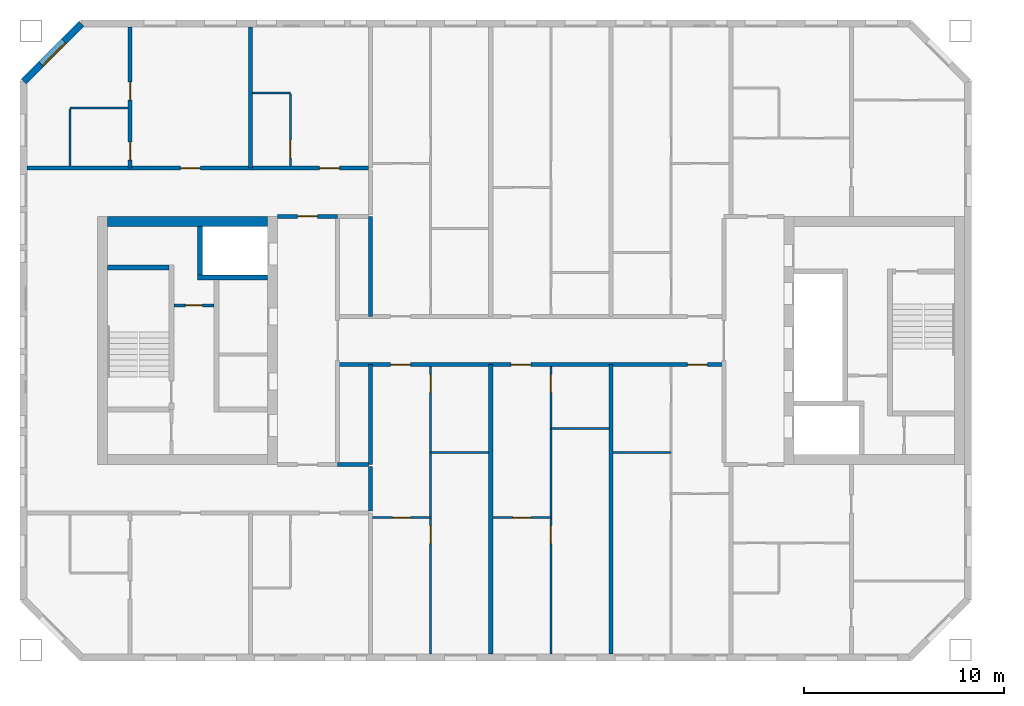
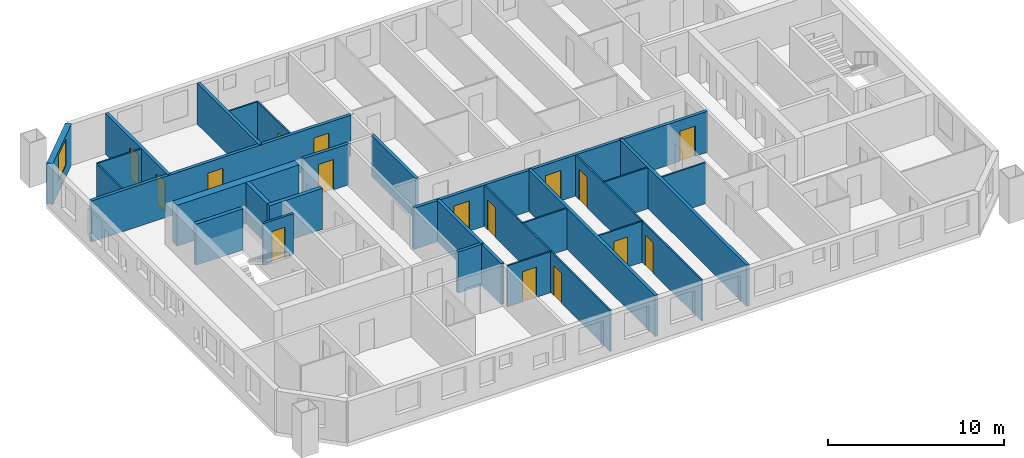
# One storey, part 4 of 16: 28 walls, 16 doors, 1 window, 17 openings.
"""IFC4 building model written with IfcOpenShell, lengths in metres."""

from ifc_helpers import new_model, si_unit, direction, frame, frame_2d, origin, place, context, subcontext, project, spatial, rectangle, extrude, material, layer, layer_set, type_object, element, fill, save


model = new_model("IFC4")

# Units and contexts
model_context = context("Model", 3, precision=1e-05, world=origin(), true_north=direction((0.0, 1.0)))
body_context = subcontext(model_context, "Body", "Model", "MODEL_VIEW")
ifc_project = project(units=[si_unit("LENGTHUNIT", "METRE"), si_unit("AREAUNIT", "SQUARE_METRE"), si_unit("VOLUMEUNIT", "CUBIC_METRE"), si_unit("PLANEANGLEUNIT", "RADIAN"), si_unit("MASSUNIT", "GRAM", prefix="KILO")], contexts=[model_context])

# Site, building, storey
site_placement = place(None, origin())
site = spatial("IfcSite", under=ifc_project, at=site_placement, CompositionType="ELEMENT")
building_placement = place(site_placement, origin())
building = spatial("IfcBuilding", under=site, at=building_placement, Name="Tuart Gate Housing", CompositionType="ELEMENT")
storey_placement = place(building_placement, frame((0.0, 0.0, 157.800048828125)))
storey = spatial("IfcBuildingStorey", under=building, at=storey_placement, Name="L44", CompositionType="ELEMENT", Elevation=157.800048828125)

# Wall, opening, window
ifc_material_1 = material(Name="Brick", Category="masonry")
ifc_layer_1 = layer(ifc_material_1, 0.360107421875)
ifc_layer_set_1 = layer_set([ifc_layer_1], Name="Brick pier and spandrel wall 360")
wall_type_1 = type_object("IfcWallType", Name="Brick pier and spandrel wall 360", PredefinedType="STANDARD", material=ifc_layer_set_1)
wall_1_placement = place(storey_placement, frame((31.57470703125, 85.820068359375, 0.0), z_axis=(0.0, 0.0, 1.0), x_axis=(-0.707106781187, -0.707106781187, 0.0)))
wall_1 = element("IfcWall", 1, at=wall_1_placement, inside=storey, type_object=wall_type_1, Name="External wall A-NW L44", PredefinedType="STANDARD", context=body_context, shape_type="SweptSolid", body=[
    extrude(rectangle(XDim=4.09375, YDim=0.360107421875, at=frame_2d((2.046875, 0.0))), origin(), (0.0, 0.0, 1.0), 2.849853515625),
])
opening_1_placement = place(wall_1_placement, frame((1.2470703125, 0.0, 0.800048828125)))
opening_1 = element("IfcOpeningElement", 2, at=opening_1_placement, cuts=wall_1, Name="Opening W1", PredefinedType="OPENING", context=body_context, shape_type="SweptSolid", body=[
    extrude(rectangle(XDim=1.60009765625, YDim=1.800048828125, at=frame_2d((0.800048828125, 0.89990234375))), frame((0.0, 0.18994140625, 0.0), z_axis=(0.0, -1.0, 0.0), x_axis=(1.0, 0.0, 0.0)), (0.0, 0.0, 1.0), 0.380126953125),
])
ifc_material_2 = material(Name="Aluminium frame with clear glass", Category="aluminium")
window_type = type_object("IfcWindowType", Name="Punched window 1600 x 1800", PartitioningType="SINGLE_PANEL", PredefinedType="WINDOW", material=ifc_material_2)
window_placement = place(opening_1_placement, origin())
window = element("IfcWindow", 3, at=window_placement, inside=storey, type_object=window_type, Name="Window W1", OverallHeight=1.800048828125, OverallWidth=1.60009765625, PartitioningType="SINGLE_PANEL", PredefinedType="WINDOW", context=body_context, shape_type="SweptSolid", body=[
    extrude(rectangle(XDim=1.60009765625, YDim=1.800048828125, at=frame_2d((0.800048828125, 0.89990234375))), frame((0.0, 0.150146484375, 0.0), z_axis=(0.0, -1.0, 0.0), x_axis=(1.0, 0.0, 0.0)), (0.0, 0.0, 1.0), 0.06005859375),
])
fill(opening_1, window)

# Wall, opening, door
ifc_material_3 = material(Name="Plasterboard partition")
ifc_layer_2 = layer(ifc_material_3, 0.14990234375)
ifc_layer_set_2 = layer_set([ifc_layer_2], Name="Core partition 150")
wall_type_2 = type_object("IfcWallType", Name="Core partition 150", PredefinedType="PARTITIONING", material=ifc_layer_set_2)
wall_2_placement = place(storey_placement, frame((38.18505859375, 71.75, 0.0), z_axis=(0.0, 0.0, 1.0), x_axis=(-1.0, 0.0, 0.0)))
wall_2 = element("IfcWall", 4, at=wall_2_placement, inside=storey, type_object=wall_type_2, Name="Core partition AK.3", PredefinedType="PARTITIONING", context=body_context, shape_type="SweptSolid", body=[
    extrude(rectangle(XDim=2.0, YDim=0.14990234375, at=frame_2d((1.0, 0.0))), origin(), (0.0, 0.0, 1.0), 2.849853515625),
])
opening_2_placement = place(wall_2_placement, frame((0.574951171875, 0.0, 0.0)))
opening_2 = element("IfcOpeningElement", 5, at=opening_2_placement, cuts=wall_2, Name="Opening D1644", PredefinedType="OPENING", context=body_context, shape_type="SweptSolid", body=[
    extrude(rectangle(XDim=0.85009765625, YDim=2.10009765625, at=frame_2d((0.425048828125, 1.050048828125))), frame((0.0, 0.0849609375, 0.0), z_axis=(0.0, -1.0, 0.0), x_axis=(1.0, 0.0, 0.0)), (0.0, 0.0, 1.0), 0.169921875),
])
ifc_material_4 = material(Name="Steel fire door", Category="steel")
door_type_1 = type_object("IfcDoorType", Name="Riser door 850 x 2100 RH", OperationType="SINGLE_SWING_RIGHT", PredefinedType="DOOR", material=ifc_material_4)
door_1_placement = place(opening_2_placement, frame((0.85009765625, 0.0, 0.0), z_axis=(0.0, 0.0, 1.0), x_axis=(-1.0, 0.0, 0.0)))
door_1 = element("IfcDoor", 6, at=door_1_placement, inside=storey, type_object=door_type_1, Name="Service room door AK.E1", OperationType="SINGLE_SWING_RIGHT", OverallHeight=2.10009765625, OverallWidth=0.85009765625, PredefinedType="DOOR", context=body_context, shape_type="SweptSolid", body=[
    extrude(rectangle(XDim=0.85009765625, YDim=2.10009765625, at=frame_2d((0.425048828125, 1.050048828125))), frame((0.0, 0.025146484375, 0.0), z_axis=(0.0, -1.0, 0.0), x_axis=(1.0, 0.0, 0.0)), (0.0, 0.0, 1.0), 0.050048828125),
])
fill(opening_2, door_1)

# Walls
ifc_material_5 = material(Name="Concrete C40", Category="concrete")
ifc_layer_3 = layer(ifc_material_5, 0.25)
ifc_layer_set_3 = layer_set([ifc_layer_3], Name="Core wall 250 C40")
wall_type_3 = type_object("IfcWallType", Name="Core wall 250 C40", PredefinedType="SHEAR", material=ifc_layer_set_3)
wall_3_placement = place(storey_placement, frame((35.93505859375, 73.64990234375, 0.0), z_axis=(0.0, 0.0, 1.0), x_axis=(-1.0, 0.0, 0.0)))
element("IfcWall", 7, at=wall_3_placement, inside=storey, type_object=wall_type_3, Name="Core wall AK.1", PredefinedType="SHEAR", context=body_context, shape_type="SweptSolid", body=[
    extrude(rectangle(XDim=3.074951171875, YDim=0.25, at=frame_2d((1.53759765625, 0.0))), origin(), (0.0, 0.0, 1.0), 2.849853515625),
])
wall_4_placement = place(storey_placement, frame((40.860107421875, 73.14990234375, 0.0), z_axis=(0.0, 0.0, 1.0), x_axis=(-1.0, 0.0, 0.0)))
element("IfcWall", 8, at=wall_4_placement, inside=storey, type_object=wall_type_3, Name="Core wall AK.2", PredefinedType="SHEAR", context=body_context, shape_type="SweptSolid", body=[
    extrude(rectangle(XDim=3.4951171875, YDim=0.25, at=frame_2d((1.74755859375, 0.0))), origin(), (0.0, 0.0, 1.0), 2.849853515625),
])
wall_5_placement = place(storey_placement, frame((37.489990234375, 75.699951171875, 0.0), z_axis=(0.0, 0.0, 1.0), x_axis=(0.0, -1.0, 0.0)))
element("IfcWall", 9, at=wall_5_placement, inside=storey, type_object=wall_type_3, Name="Core wall AK.8", PredefinedType="SHEAR", context=body_context, shape_type="SweptSolid", body=[
    extrude(rectangle(XDim=2.425048828125, YDim=0.25, at=frame_2d((1.21240234375, 0.0))), origin(), (0.0, 0.0, 1.0), 2.849853515625),
])
ifc_material_6 = material(Name="Concrete C40", Category="concrete")
ifc_layer_4 = layer(ifc_material_6, 0.5)
ifc_layer_set_4 = layer_set([ifc_layer_4], Name="Core wall 500 C40")
wall_type_4 = type_object("IfcWallType", Name="Core wall 500 C40", PredefinedType="SHEAR", material=ifc_layer_set_4)
wall_6_placement = place(storey_placement, frame((40.860107421875, 75.949951171875, 0.0), z_axis=(0.0, 0.0, 1.0), x_axis=(-1.0, 0.0, 0.0)))
element("IfcWall", 10, at=wall_6_placement, inside=storey, type_object=wall_type_4, Name="Core wall AK south", PredefinedType="SHEAR", context=body_context, shape_type="SweptSolid", body=[
    extrude(rectangle(XDim=8.0, YDim=0.5, at=frame_2d((4.0, 0.0))), origin(), (0.0, 0.0, 1.0), 2.849853515625),
])
ifc_material_7 = material(Name="Concrete masonry 15 MPa", Category="masonry")
ifc_layer_5 = layer(ifc_material_7, 0.199951171875)
ifc_layer_set_5 = layer_set([ifc_layer_5], Name="Corridor wall masonry 200")
wall_type_5 = type_object("IfcWallType", Name="Corridor wall masonry 200", PredefinedType="PARTITIONING", material=ifc_layer_set_5)
wall_7_placement = place(storey_placement, frame((44.360107421875, 63.800048828125, 0.0), z_axis=(0.0, 0.0, 1.0), x_axis=(1.0, 0.0, 0.0)))
element("IfcWall", 11, at=wall_7_placement, inside=storey, type_object=wall_type_5, Name="Corridor wall masonry 200", PredefinedType="PARTITIONING", context=body_context, shape_type="SweptSolid", body=[
    extrude(rectangle(XDim=1.539794921875, YDim=0.199951171875, at=frame_2d((0.77001953125, 0.0))), origin(), (0.0, 0.0, 1.0), 2.849853515625),
])

# Wall, openings, doors
wall_8_placement = place(storey_placement, frame((44.360107421875, 68.800048828125, 0.0), z_axis=(0.0, 0.0, 1.0), x_axis=(1.0, 0.0, 0.0)))
wall_8 = element("IfcWall", 12, at=wall_8_placement, inside=storey, type_object=wall_type_5, Name="Corridor wall masonry 200", PredefinedType="PARTITIONING", context=body_context, shape_type="SweptSolid", body=[
    extrude(rectangle(XDim=19.27978515625, YDim=0.199951171875, at=frame_2d((9.639892578125, 0.0))), origin(), (0.0, 0.0, 1.0), 2.849853515625),
])
opening_3_placement = place(wall_8_placement, frame((17.4599609375, 0.0, 0.0)))
opening_3 = element("IfcOpeningElement", 13, at=opening_3_placement, cuts=wall_8, Name="Opening D1655", PredefinedType="OPENING", context=body_context, shape_type="SweptSolid", body=[
    extrude(rectangle(XDim=1.0, YDim=2.10009765625, at=frame_2d((0.5, 1.050048828125))), frame((0.0, 0.10986328125, 0.0), z_axis=(0.0, -1.0, 0.0), x_axis=(1.0, 0.0, 0.0)), (0.0, 0.0, 1.0), 0.219970703125),
])
opening_4_placement = place(wall_8_placement, frame((8.639892578125, 0.0, 0.0)))
opening_4 = element("IfcOpeningElement", 14, at=opening_4_placement, cuts=wall_8, Name="Opening D1656", PredefinedType="OPENING", context=body_context, shape_type="SweptSolid", body=[
    extrude(rectangle(XDim=1.0, YDim=2.10009765625, at=frame_2d((0.5, 1.050048828125))), frame((0.0, 0.10986328125, 0.0), z_axis=(0.0, -1.0, 0.0), x_axis=(1.0, 0.0, 0.0)), (0.0, 0.0, 1.0), 0.219970703125),
])
opening_5_placement = place(wall_8_placement, frame((2.639892578125, 0.0, 0.0)))
opening_5 = element("IfcOpeningElement", 15, at=opening_5_placement, cuts=wall_8, Name="Opening D1657", PredefinedType="OPENING", context=body_context, shape_type="SweptSolid", body=[
    extrude(rectangle(XDim=1.0, YDim=2.10009765625, at=frame_2d((0.5, 1.050048828125))), frame((0.0, 0.10986328125, 0.0), z_axis=(0.0, -1.0, 0.0), x_axis=(1.0, 0.0, 0.0)), (0.0, 0.0, 1.0), 0.219970703125),
])
ifc_material_8 = material(Name="Timber door leaf in steel frame", Category="steel")
door_type_2 = type_object("IfcDoorType", Name="Flat entrance door 1000 RH", OperationType="SINGLE_SWING_RIGHT", PredefinedType="DOOR", material=ifc_material_8)
door_2_placement = place(opening_3_placement, frame((1.0, 0.0, 0.0), z_axis=(0.0, 0.0, 1.0), x_axis=(-1.0, 0.0, 0.0)))
door_2 = element("IfcDoor", 16, at=door_2_placement, inside=storey, type_object=door_type_2, Name="Flat entrance door", OperationType="SINGLE_SWING_RIGHT", OverallHeight=2.10009765625, OverallWidth=1.0, PredefinedType="DOOR", context=body_context, shape_type="SweptSolid", body=[
    extrude(rectangle(XDim=1.0, YDim=2.10009765625, at=frame_2d((0.5, 1.050048828125))), frame((0.0, 0.025146484375, 0.0), z_axis=(0.0, -1.0, 0.0), x_axis=(1.0, 0.0, 0.0)), (0.0, 0.0, 1.0), 0.050048828125),
])
fill(opening_3, door_2)
door_3_placement = place(opening_4_placement, frame((1.0, 0.0, 0.0), z_axis=(0.0, 0.0, 1.0), x_axis=(-1.0, 0.0, 0.0)))
door_3 = element("IfcDoor", 17, at=door_3_placement, inside=storey, type_object=door_type_2, Name="Flat entrance door", OperationType="SINGLE_SWING_RIGHT", OverallHeight=2.10009765625, OverallWidth=1.0, PredefinedType="DOOR", context=body_context, shape_type="SweptSolid", body=[
    extrude(rectangle(XDim=1.0, YDim=2.10009765625, at=frame_2d((0.5, 1.050048828125))), frame((0.0, 0.025146484375, 0.0), z_axis=(0.0, -1.0, 0.0), x_axis=(1.0, 0.0, 0.0)), (0.0, 0.0, 1.0), 0.050048828125),
])
fill(opening_4, door_3)
door_4_placement = place(opening_5_placement, frame((1.0, 0.0, 0.0), z_axis=(0.0, 0.0, 1.0), x_axis=(-1.0, 0.0, 0.0)))
door_4 = element("IfcDoor", 18, at=door_4_placement, inside=storey, type_object=door_type_2, Name="Flat entrance door", OperationType="SINGLE_SWING_RIGHT", OverallHeight=2.10009765625, OverallWidth=1.0, PredefinedType="DOOR", context=body_context, shape_type="SweptSolid", body=[
    extrude(rectangle(XDim=1.0, YDim=2.10009765625, at=frame_2d((0.5, 1.050048828125))), frame((0.0, 0.025146484375, 0.0), z_axis=(0.0, -1.0, 0.0), x_axis=(1.0, 0.0, 0.0)), (0.0, 0.0, 1.0), 0.050048828125),
])
fill(opening_5, door_4)

wall_9_placement = place(storey_placement, frame((28.860107421875, 78.60009765625, 0.0), z_axis=(0.0, 0.0, 1.0), x_axis=(1.0, 0.0, 0.0)))
wall_9 = element("IfcWall", 19, at=wall_9_placement, inside=storey, type_object=wall_type_5, Name="Corridor wall masonry 200", PredefinedType="PARTITIONING", context=body_context, shape_type="SweptSolid", body=[
    extrude(rectangle(XDim=17.039794921875, YDim=0.199951171875, at=frame_2d((8.52001953125, 0.0))), origin(), (0.0, 0.0, 1.0), 2.849853515625),
])
opening_6_placement = place(wall_9_placement, frame((14.590087890625, 0.0, 0.0)))
opening_6 = element("IfcOpeningElement", 20, at=opening_6_placement, cuts=wall_9, Name="Opening D1632", PredefinedType="OPENING", context=body_context, shape_type="SweptSolid", body=[
    extrude(rectangle(XDim=1.0, YDim=2.10009765625, at=frame_2d((0.5, 1.050048828125))), frame((0.0, 0.10986328125, 0.0), z_axis=(0.0, -1.0, 0.0), x_axis=(1.0, 0.0, 0.0)), (0.0, 0.0, 1.0), 0.219970703125),
])
opening_7_placement = place(wall_9_placement, frame((7.639892578125, 0.0, 0.0)))
opening_7 = element("IfcOpeningElement", 21, at=opening_7_placement, cuts=wall_9, Name="Opening D1633", PredefinedType="OPENING", context=body_context, shape_type="SweptSolid", body=[
    extrude(rectangle(XDim=1.0, YDim=2.10009765625, at=frame_2d((0.5, 1.050048828125))), frame((0.0, 0.10986328125, 0.0), z_axis=(0.0, -1.0, 0.0), x_axis=(1.0, 0.0, 0.0)), (0.0, 0.0, 1.0), 0.219970703125),
])
ifc_material_9 = material(Name="Timber door leaf in steel frame", Category="steel")
door_type_3 = type_object("IfcDoorType", Name="Flat entrance door 1000", OperationType="SINGLE_SWING_LEFT", PredefinedType="DOOR", material=ifc_material_9)
door_5_placement = place(opening_6_placement, origin())
door_5 = element("IfcDoor", 22, at=door_5_placement, inside=storey, type_object=door_type_3, Name="Flat entrance door", OperationType="SINGLE_SWING_LEFT", OverallHeight=2.10009765625, OverallWidth=1.0, PredefinedType="DOOR", context=body_context, shape_type="SweptSolid", body=[
    extrude(rectangle(XDim=1.0, YDim=2.10009765625, at=frame_2d((0.5, 1.050048828125))), frame((0.0, 0.02490234375, 0.0), z_axis=(0.0, -1.0, 0.0), x_axis=(1.0, 0.0, 0.0)), (0.0, 0.0, 1.0), 0.050048828125),
])
fill(opening_6, door_5)
door_6_placement = place(opening_7_placement, origin())
door_6 = element("IfcDoor", 23, at=door_6_placement, inside=storey, type_object=door_type_3, Name="Flat entrance door", OperationType="SINGLE_SWING_LEFT", OverallHeight=2.10009765625, OverallWidth=1.0, PredefinedType="DOOR", context=body_context, shape_type="SweptSolid", body=[
    extrude(rectangle(XDim=1.0, YDim=2.10009765625, at=frame_2d((0.5, 1.050048828125))), frame((0.0, 0.02490234375, 0.0), z_axis=(0.0, -1.0, 0.0), x_axis=(1.0, 0.0, 0.0)), (0.0, 0.0, 1.0), 0.050048828125),
])
fill(opening_7, door_6)

# Wall
wall_10_placement = place(storey_placement, frame((46.0, 61.5, 0.0), z_axis=(0.0, 0.0, 1.0), x_axis=(0.0, 1.0, 0.0)))
element("IfcWall", 24, at=wall_10_placement, inside=storey, type_object=wall_type_5, Name="Corridor wall masonry 200", PredefinedType="PARTITIONING", context=body_context, shape_type="SweptSolid", body=[
    extrude(rectangle(XDim=2.199951171875, YDim=0.199951171875, at=frame_2d((1.10009765625, 0.0))), origin(), (0.0, 0.0, 1.0), 2.849853515625),
])

# Wall, opening, door
ifc_material_10 = material(Name="Concrete masonry 15 MPa", Category="masonry")
ifc_layer_6 = layer(ifc_material_10, 0.199951171875)
ifc_layer_set_6 = layer_set([ifc_layer_6], Name="Enclosure wall masonry 200")
wall_type_6 = type_object("IfcWallType", Name="Enclosure wall masonry 200", PredefinedType="PARTITIONING", material=ifc_layer_set_6)
wall_11_placement = place(storey_placement, frame((41.360107421875, 76.199951171875, 0.0), z_axis=(0.0, 0.0, 1.0), x_axis=(1.0, 0.0, 0.0)))
wall_11 = element("IfcWall", 25, at=wall_11_placement, inside=storey, type_object=wall_type_6, Name="Enclosure wall masonry 200", PredefinedType="PARTITIONING", context=body_context, shape_type="SweptSolid", body=[
    extrude(rectangle(XDim=3.0, YDim=0.199951171875, at=frame_2d((1.5, 0.0))), origin(), (0.0, 0.0, 1.0), 2.849853515625),
])
opening_8_placement = place(wall_11_placement, frame((1.0, 0.0, 0.0)))
opening_8 = element("IfcOpeningElement", 26, at=opening_8_placement, cuts=wall_11, Name="Opening D1641", PredefinedType="OPENING", context=body_context, shape_type="SweptSolid", body=[
    extrude(rectangle(XDim=1.0, YDim=2.10009765625, at=frame_2d((0.5, 1.050048828125))), frame((0.0, 0.10986328125, 0.0), z_axis=(0.0, -1.0, 0.0), x_axis=(1.0, 0.0, 0.0)), (0.0, 0.0, 1.0), 0.219970703125),
])
ifc_material_11 = material(Name="Timber door leaf in steel frame", Category="steel")
door_type_4 = type_object("IfcDoorType", Name="Fire door 1000 RH", OperationType="SINGLE_SWING_RIGHT", PredefinedType="DOOR", material=ifc_material_11)
door_7_placement = place(opening_8_placement, origin())
door_7 = element("IfcDoor", 27, at=door_7_placement, inside=storey, type_object=door_type_4, Name="Fire door", OperationType="SINGLE_SWING_RIGHT", OverallHeight=2.10009765625, OverallWidth=1.0, PredefinedType="DOOR", context=body_context, shape_type="SweptSolid", body=[
    extrude(rectangle(XDim=1.0, YDim=2.10009765625, at=frame_2d((0.5, 1.050048828125))), frame((0.0, 0.02490234375, 0.0), z_axis=(0.0, -1.0, 0.0), x_axis=(1.0, 0.0, 0.0)), (0.0, 0.0, 1.0), 0.050048828125),
])
fill(opening_8, door_7)

ifc_material_12 = material(Name="Gypsum board on steel studs", Category="steel")
ifc_layer_7 = layer(ifc_material_12, 0.10009765625)
ifc_layer_set_7 = layer_set([ifc_layer_7], Name="Partition 100")
wall_type_7 = type_object("IfcWallType", Name="Partition 100", PredefinedType="PARTITIONING", material=ifc_layer_set_7)
wall_12_placement = place(storey_placement, frame((46.10009765625, 61.159912109375, 0.0), z_axis=(0.0, 0.0, 1.0), x_axis=(1.0, 0.0, 0.0)))
wall_12 = element("IfcWall", 28, at=wall_12_placement, inside=storey, type_object=wall_type_7, Name="Partition 100", PredefinedType="PARTITIONING", context=body_context, shape_type="SweptSolid", body=[
    extrude(rectangle(XDim=2.89990234375, YDim=0.10009765625, at=frame_2d((1.449951171875, 0.0))), origin(), (0.0, 0.0, 1.0), 2.849853515625),
])
opening_9_placement = place(wall_12_placement, frame((1.0, 0.0, 0.0)))
opening_9 = element("IfcOpeningElement", 29, at=opening_9_placement, cuts=wall_12, Name="Opening D1672", PredefinedType="OPENING", context=body_context, shape_type="SweptSolid", body=[
    extrude(rectangle(XDim=0.89990234375, YDim=2.10009765625, at=frame_2d((0.449951171875, 1.050048828125))), frame((0.0, 0.06005859375, 0.0), z_axis=(0.0, -1.0, 0.0), x_axis=(1.0, 0.0, 0.0)), (0.0, 0.0, 1.0), 0.1201171875),
])
ifc_material_13 = material(Name="Timber door leaf in steel frame", Category="steel")
door_type_5 = type_object("IfcDoorType", Name="Internal door 900 RH", OperationType="SINGLE_SWING_RIGHT", PredefinedType="DOOR", material=ifc_material_13)
door_8_placement = place(opening_9_placement, origin())
door_8 = element("IfcDoor", 30, at=door_8_placement, inside=storey, type_object=door_type_5, Name="Internal door", OperationType="SINGLE_SWING_RIGHT", OverallHeight=2.10009765625, OverallWidth=0.89990234375, PredefinedType="DOOR", context=body_context, shape_type="SweptSolid", body=[
    extrude(rectangle(XDim=0.89990234375, YDim=2.10009765625, at=frame_2d((0.449951171875, 1.050048828125))), frame((0.0, 0.02490234375, 0.0), z_axis=(0.0, -1.0, 0.0), x_axis=(1.0, 0.0, 0.0)), (0.0, 0.0, 1.0), 0.050048828125),
])
fill(opening_9, door_8)

wall_13_placement = place(storey_placement, frame((52.10009765625, 61.159912109375, 0.0), z_axis=(0.0, 0.0, 1.0), x_axis=(1.0, 0.0, 0.0)))
wall_13 = element("IfcWall", 31, at=wall_13_placement, inside=storey, type_object=wall_type_7, Name="Partition 100", PredefinedType="PARTITIONING", context=body_context, shape_type="SweptSolid", body=[
    extrude(rectangle(XDim=2.89990234375, YDim=0.10009765625, at=frame_2d((1.449951171875, 0.0))), origin(), (0.0, 0.0, 1.0), 2.849853515625),
])
opening_10_placement = place(wall_13_placement, frame((1.0, 0.0, 0.0)))
opening_10 = element("IfcOpeningElement", 32, at=opening_10_placement, cuts=wall_13, Name="Opening D1673", PredefinedType="OPENING", context=body_context, shape_type="SweptSolid", body=[
    extrude(rectangle(XDim=0.89990234375, YDim=2.10009765625, at=frame_2d((0.449951171875, 1.050048828125))), frame((0.0, 0.06005859375, 0.0), z_axis=(0.0, -1.0, 0.0), x_axis=(1.0, 0.0, 0.0)), (0.0, 0.0, 1.0), 0.1201171875),
])
door_9_placement = place(opening_10_placement, origin())
door_9 = element("IfcDoor", 33, at=door_9_placement, inside=storey, type_object=door_type_5, Name="Internal door", OperationType="SINGLE_SWING_RIGHT", OverallHeight=2.10009765625, OverallWidth=0.89990234375, PredefinedType="DOOR", context=body_context, shape_type="SweptSolid", body=[
    extrude(rectangle(XDim=0.89990234375, YDim=2.10009765625, at=frame_2d((0.449951171875, 1.050048828125))), frame((0.0, 0.02490234375, 0.0), z_axis=(0.0, -1.0, 0.0), x_axis=(1.0, 0.0, 0.0)), (0.0, 0.0, 1.0), 0.050048828125),
])
fill(opening_10, door_9)

# Walls
for number, where, z_axis, x_axis, name in (
    (34, (49.0, 64.39990234375, 0.0), (0.0, 0.0, 1.0), (1.0, 0.0, 0.0), "Partition 100"),
    (35, (58.10009765625, 64.39990234375, 0.0), (0.0, 0.0, 1.0), (1.0, 0.0, 0.0), "Partition 100"),
    (36, (55.0, 65.60009765625, 0.0), (0.0, 0.0, 1.0), (1.0, 0.0, 0.0), "Partition 100"),
    (37, (31.0, 81.60009765625, 0.0), (0.0, 0.0, 1.0), (1.0, 0.0, 0.0), "Partition 100"),
):
    element("IfcWall", number, at=place(storey_placement, frame(where, z_axis=z_axis, x_axis=x_axis)), inside=storey, type_object=wall_type_7, Name=name, PredefinedType="PARTITIONING", context=body_context, shape_type="SweptSolid", body=[
        extrude(rectangle(XDim=2.89990234375, YDim=0.10009765625, at=frame_2d((1.449951171875, 0.0))), origin(), (0.0, 0.0, 1.0), 2.849853515625),
    ])
wall_14_placement = place(storey_placement, frame((40.10009765625, 82.35009765625, 0.0), z_axis=(0.0, 0.0, 1.0), x_axis=(1.0, 0.0, 0.0)))
element("IfcWall", 38, at=wall_14_placement, inside=storey, type_object=wall_type_7, Name="Partition 100", PredefinedType="PARTITIONING", context=body_context, shape_type="SweptSolid", body=[
    extrude(rectangle(XDim=1.89990234375, YDim=0.10009765625, at=frame_2d((0.949951171875, 0.0))), origin(), (0.0, 0.0, 1.0), 2.849853515625),
])
wall_15_placement = place(storey_placement, frame((31.0, 78.699951171875, 0.0), z_axis=(0.0, 0.0, 1.0), x_axis=(0.0, 1.0, 0.0)))
element("IfcWall", 39, at=wall_15_placement, inside=storey, type_object=wall_type_7, Name="Partition 100", PredefinedType="PARTITIONING", context=body_context, shape_type="SweptSolid", body=[
    extrude(rectangle(XDim=2.85009765625, YDim=0.10009765625, at=frame_2d((1.425048828125, 0.0))), origin(), (0.0, 0.0, 1.0), 2.849853515625),
])

# Wall, opening, door
wall_16_placement = place(storey_placement, frame((42.0, 78.699951171875, 0.0), z_axis=(0.0, 0.0, 1.0), x_axis=(0.0, 1.0, 0.0)))
wall_16 = element("IfcWall", 40, at=wall_16_placement, inside=storey, type_object=wall_type_7, Name="Partition 100", PredefinedType="PARTITIONING", context=body_context, shape_type="SweptSolid", body=[
    extrude(rectangle(XDim=3.60009765625, YDim=0.10009765625, at=frame_2d((1.800048828125, 0.0))), origin(), (0.0, 0.0, 1.0), 2.849853515625),
])
opening_11_placement = place(wall_16_placement, frame((0.39990234375, 0.0, 0.0)))
opening_11 = element("IfcOpeningElement", 41, at=opening_11_placement, cuts=wall_16, Name="Opening D1627", PredefinedType="OPENING", context=body_context, shape_type="SweptSolid", body=[
    extrude(rectangle(XDim=0.89990234375, YDim=2.10009765625, at=frame_2d((0.449951171875, 1.050048828125))), frame((0.0, 0.06005859375, 0.0), z_axis=(0.0, -1.0, 0.0), x_axis=(1.0, 0.0, 0.0)), (0.0, 0.0, 1.0), 0.1201171875),
])
ifc_material_14 = material(Name="Timber door leaf in steel frame", Category="steel")
door_type_6 = type_object("IfcDoorType", Name="Bathroom door 900", OperationType="SINGLE_SWING_LEFT", PredefinedType="DOOR", material=ifc_material_14)
door_10_placement = place(opening_11_placement, origin())
door_10 = element("IfcDoor", 42, at=door_10_placement, inside=storey, type_object=door_type_6, Name="Bathroom door", OperationType="SINGLE_SWING_LEFT", OverallHeight=2.10009765625, OverallWidth=0.89990234375, PredefinedType="DOOR", context=body_context, shape_type="SweptSolid", body=[
    extrude(rectangle(XDim=0.89990234375, YDim=2.10009765625, at=frame_2d((0.449951171875, 1.050048828125))), frame((0.0, 0.02490234375, 0.0), z_axis=(0.0, -1.0, 0.0), x_axis=(1.0, 0.0, 0.0)), (0.0, 0.0, 1.0), 0.050048828125),
])
fill(opening_11, door_10)

# Wall, openings, doors
wall_17_placement = place(storey_placement, frame((49.0, 54.360107421875, 0.0), z_axis=(0.0, 0.0, 1.0), x_axis=(0.0, 1.0, 0.0)))
wall_17 = element("IfcWall", 43, at=wall_17_placement, inside=storey, type_object=wall_type_7, Name="Partition 100", PredefinedType="PARTITIONING", context=body_context, shape_type="SweptSolid", body=[
    extrude(rectangle(XDim=14.33984375, YDim=0.10009765625, at=frame_2d((7.169921875, 0.0))), origin(), (0.0, 0.0, 1.0), 2.849853515625),
])
opening_12_placement = place(wall_17_placement, frame((5.5, 0.0, 0.0)))
opening_12 = element("IfcOpeningElement", 44, at=opening_12_placement, cuts=wall_17, Name="Opening D1665", PredefinedType="OPENING", context=body_context, shape_type="SweptSolid", body=[
    extrude(rectangle(XDim=0.89990234375, YDim=2.10009765625, at=frame_2d((0.449951171875, 1.050048828125))), frame((0.0, 0.06005859375, 0.0), z_axis=(0.0, -1.0, 0.0), x_axis=(1.0, 0.0, 0.0)), (0.0, 0.0, 1.0), 0.1201171875),
])
opening_13_placement = place(wall_17_placement, frame((13.0400390625, 0.0, 0.0)))
opening_13 = element("IfcOpeningElement", 45, at=opening_13_placement, cuts=wall_17, Name="Opening D1664", PredefinedType="OPENING", context=body_context, shape_type="SweptSolid", body=[
    extrude(rectangle(XDim=0.89990234375, YDim=2.10009765625, at=frame_2d((0.449951171875, 1.050048828125))), frame((0.0, 0.06005859375, 0.0), z_axis=(0.0, -1.0, 0.0), x_axis=(1.0, 0.0, 0.0)), (0.0, 0.0, 1.0), 0.1201171875),
])
door_11_placement = place(opening_13_placement, frame((0.89990234375, 0.0, 0.0), z_axis=(0.0, 0.0, 1.0), x_axis=(-1.0, 0.0, 0.0)))
door_11 = element("IfcDoor", 46, at=door_11_placement, inside=storey, type_object=door_type_6, Name="Bathroom door", OperationType="SINGLE_SWING_LEFT", OverallHeight=2.10009765625, OverallWidth=0.89990234375, PredefinedType="DOOR", context=body_context, shape_type="SweptSolid", body=[
    extrude(rectangle(XDim=0.89990234375, YDim=2.10009765625, at=frame_2d((0.449951171875, 1.050048828125))), frame((0.0, 0.025146484375, 0.0), z_axis=(0.0, -1.0, 0.0), x_axis=(1.0, 0.0, 0.0)), (0.0, 0.0, 1.0), 0.050048828125),
])
fill(opening_13, door_11)
ifc_material_15 = material(Name="Timber door leaf in steel frame", Category="steel")
door_type_7 = type_object("IfcDoorType", Name="Internal door 900", OperationType="SINGLE_SWING_LEFT", PredefinedType="DOOR", material=ifc_material_15)
door_12_placement = place(opening_12_placement, frame((0.89990234375, 0.0, 0.0), z_axis=(0.0, 0.0, 1.0), x_axis=(-1.0, 0.0, 0.0)))
door_12 = element("IfcDoor", 47, at=door_12_placement, inside=storey, type_object=door_type_7, Name="Internal door", OperationType="SINGLE_SWING_LEFT", OverallHeight=2.10009765625, OverallWidth=0.89990234375, PredefinedType="DOOR", context=body_context, shape_type="SweptSolid", body=[
    extrude(rectangle(XDim=0.89990234375, YDim=2.10009765625, at=frame_2d((0.449951171875, 1.050048828125))), frame((0.0, 0.025146484375, 0.0), z_axis=(0.0, -1.0, 0.0), x_axis=(1.0, 0.0, 0.0)), (0.0, 0.0, 1.0), 0.050048828125),
])
fill(opening_12, door_12)

wall_18_placement = place(storey_placement, frame((55.0, 54.360107421875, 0.0), z_axis=(0.0, 0.0, 1.0), x_axis=(0.0, 1.0, 0.0)))
wall_18 = element("IfcWall", 48, at=wall_18_placement, inside=storey, type_object=wall_type_7, Name="Partition 100", PredefinedType="PARTITIONING", context=body_context, shape_type="SweptSolid", body=[
    extrude(rectangle(XDim=14.33984375, YDim=0.10009765625, at=frame_2d((7.169921875, 0.0))), origin(), (0.0, 0.0, 1.0), 2.849853515625),
])
opening_14_placement = place(wall_18_placement, frame((5.5, 0.0, 0.0)))
opening_14 = element("IfcOpeningElement", 49, at=opening_14_placement, cuts=wall_18, Name="Opening D1667", PredefinedType="OPENING", context=body_context, shape_type="SweptSolid", body=[
    extrude(rectangle(XDim=0.89990234375, YDim=2.10009765625, at=frame_2d((0.449951171875, 1.050048828125))), frame((0.0, 0.06005859375, 0.0), z_axis=(0.0, -1.0, 0.0), x_axis=(1.0, 0.0, 0.0)), (0.0, 0.0, 1.0), 0.1201171875),
])
opening_15_placement = place(wall_18_placement, frame((13.0400390625, 0.0, 0.0)))
opening_15 = element("IfcOpeningElement", 50, at=opening_15_placement, cuts=wall_18, Name="Opening D1666", PredefinedType="OPENING", context=body_context, shape_type="SweptSolid", body=[
    extrude(rectangle(XDim=0.89990234375, YDim=2.10009765625, at=frame_2d((0.449951171875, 1.050048828125))), frame((0.0, 0.06005859375, 0.0), z_axis=(0.0, -1.0, 0.0), x_axis=(1.0, 0.0, 0.0)), (0.0, 0.0, 1.0), 0.1201171875),
])
door_13_placement = place(opening_15_placement, frame((0.89990234375, 0.0, 0.0), z_axis=(0.0, 0.0, 1.0), x_axis=(-1.0, 0.0, 0.0)))
door_13 = element("IfcDoor", 51, at=door_13_placement, inside=storey, type_object=door_type_6, Name="Bathroom door", OperationType="SINGLE_SWING_LEFT", OverallHeight=2.10009765625, OverallWidth=0.89990234375, PredefinedType="DOOR", context=body_context, shape_type="SweptSolid", body=[
    extrude(rectangle(XDim=0.89990234375, YDim=2.10009765625, at=frame_2d((0.449951171875, 1.050048828125))), frame((0.0, 0.025146484375, 0.0), z_axis=(0.0, -1.0, 0.0), x_axis=(1.0, 0.0, 0.0)), (0.0, 0.0, 1.0), 0.050048828125),
])
fill(opening_15, door_13)
door_14_placement = place(opening_14_placement, frame((0.89990234375, 0.0, 0.0), z_axis=(0.0, 0.0, 1.0), x_axis=(-1.0, 0.0, 0.0)))
door_14 = element("IfcDoor", 52, at=door_14_placement, inside=storey, type_object=door_type_7, Name="Internal door", OperationType="SINGLE_SWING_LEFT", OverallHeight=2.10009765625, OverallWidth=0.89990234375, PredefinedType="DOOR", context=body_context, shape_type="SweptSolid", body=[
    extrude(rectangle(XDim=0.89990234375, YDim=2.10009765625, at=frame_2d((0.449951171875, 1.050048828125))), frame((0.0, 0.025146484375, 0.0), z_axis=(0.0, -1.0, 0.0), x_axis=(1.0, 0.0, 0.0)), (0.0, 0.0, 1.0), 0.050048828125),
])
fill(opening_14, door_14)

ifc_material_16 = material(Name="Concrete C40", Category="concrete")
ifc_layer_8 = layer(ifc_material_16, 0.199951171875)
ifc_layer_set_8 = layer_set([ifc_layer_8], Name="Party wall concrete C40 200")
wall_type_8 = type_object("IfcWallType", Name="Party wall concrete C40 200", PredefinedType="SOLIDWALL", material=ifc_layer_set_8)
wall_19_placement = place(storey_placement, frame((34.0, 78.60009765625, 0.0), z_axis=(0.0, 0.0, 1.0), x_axis=(0.0, 1.0, 0.0)))
wall_19 = element("IfcWall", 53, at=wall_19_placement, inside=storey, type_object=wall_type_8, Name="Party wall concrete C40 200", PredefinedType="SOLIDWALL", context=body_context, shape_type="SweptSolid", body=[
    extrude(rectangle(XDim=7.039794921875, YDim=0.199951171875, at=frame_2d((3.52001953125, 0.0))), origin(), (0.0, 0.0, 1.0), 2.849853515625),
])
opening_16_placement = place(wall_19_placement, frame((3.39990234375, 0.0, 0.0)))
opening_16 = element("IfcOpeningElement", 54, at=opening_16_placement, cuts=wall_19, Name="Opening D1624", PredefinedType="OPENING", context=body_context, shape_type="SweptSolid", body=[
    extrude(rectangle(XDim=0.89990234375, YDim=2.10009765625, at=frame_2d((0.449951171875, 1.050048828125))), frame((0.0, 0.10986328125, 0.0), z_axis=(0.0, -1.0, 0.0), x_axis=(1.0, 0.0, 0.0)), (0.0, 0.0, 1.0), 0.219970703125),
])
opening_17_placement = place(wall_19_placement, frame((0.39990234375, 0.0, 0.0)))
opening_17 = element("IfcOpeningElement", 55, at=opening_17_placement, cuts=wall_19, Name="Opening D1623", PredefinedType="OPENING", context=body_context, shape_type="SweptSolid", body=[
    extrude(rectangle(XDim=0.89990234375, YDim=2.10009765625, at=frame_2d((0.449951171875, 1.050048828125))), frame((0.0, 0.10986328125, 0.0), z_axis=(0.0, -1.0, 0.0), x_axis=(1.0, 0.0, 0.0)), (0.0, 0.0, 1.0), 0.219970703125),
])
door_15_placement = place(opening_17_placement, origin())
door_15 = element("IfcDoor", 56, at=door_15_placement, inside=storey, type_object=door_type_6, Name="Bathroom door", OperationType="SINGLE_SWING_LEFT", OverallHeight=2.10009765625, OverallWidth=0.89990234375, PredefinedType="DOOR", context=body_context, shape_type="SweptSolid", body=[
    extrude(rectangle(XDim=0.89990234375, YDim=2.10009765625, at=frame_2d((0.449951171875, 1.050048828125))), frame((0.0, 0.02490234375, 0.0), z_axis=(0.0, -1.0, 0.0), x_axis=(1.0, 0.0, 0.0)), (0.0, 0.0, 1.0), 0.050048828125),
])
fill(opening_17, door_15)
door_16_placement = place(opening_16_placement, origin())
door_16 = element("IfcDoor", 57, at=door_16_placement, inside=storey, type_object=door_type_7, Name="Internal door", OperationType="SINGLE_SWING_LEFT", OverallHeight=2.10009765625, OverallWidth=0.89990234375, PredefinedType="DOOR", context=body_context, shape_type="SweptSolid", body=[
    extrude(rectangle(XDim=0.89990234375, YDim=2.10009765625, at=frame_2d((0.449951171875, 1.050048828125))), frame((0.0, 0.02490234375, 0.0), z_axis=(0.0, -1.0, 0.0), x_axis=(1.0, 0.0, 0.0)), (0.0, 0.0, 1.0), 0.050048828125),
])
fill(opening_16, door_16)

# Walls
wall_20_placement = place(storey_placement, frame((40.0, 78.60009765625, 0.0), z_axis=(0.0, 0.0, 1.0), x_axis=(0.0, 1.0, 0.0)))
element("IfcWall", 58, at=wall_20_placement, inside=storey, type_object=wall_type_8, Name="Party wall concrete C40 200", PredefinedType="SOLIDWALL", context=body_context, shape_type="SweptSolid", body=[
    extrude(rectangle(XDim=7.039794921875, YDim=0.199951171875, at=frame_2d((3.52001953125, 0.0))), origin(), (0.0, 0.0, 1.0), 2.849853515625),
])
for number, where, z_axis, x_axis, name in (
    (59, (46.0, 63.800048828125, 0.0), (0.0, 0.0, 1.0), (0.0, 1.0, 0.0), "Party wall concrete C40 200"),
    (60, (46.0, 71.199951171875, 0.0), (0.0, 0.0, 1.0), (0.0, 1.0, 0.0), "Party wall concrete C40 200"),
):
    element("IfcWall", number, at=place(storey_placement, frame(where, z_axis=z_axis, x_axis=x_axis)), inside=storey, type_object=wall_type_8, Name=name, PredefinedType="SOLIDWALL", context=body_context, shape_type="SweptSolid", body=[
        extrude(rectangle(XDim=5.0, YDim=0.199951171875, at=frame_2d((2.5, 0.0))), origin(), (0.0, 0.0, 1.0), 2.849853515625),
    ])
for number, where, z_axis, x_axis, name in (
    (61, (52.0, 54.360107421875, 0.0), (0.0, 0.0, 1.0), (0.0, 1.0, 0.0), "Party wall concrete C40 200"),
    (62, (58.0, 54.360107421875, 0.0), (0.0, 0.0, 1.0), (0.0, 1.0, 0.0), "Party wall concrete C40 200"),
):
    element("IfcWall", number, at=place(storey_placement, frame(where, z_axis=z_axis, x_axis=x_axis)), inside=storey, type_object=wall_type_8, Name=name, PredefinedType="SOLIDWALL", context=body_context, shape_type="SweptSolid", body=[
        extrude(rectangle(XDim=14.43994140625, YDim=0.199951171875, at=frame_2d((7.219970703125, 0.0))), origin(), (0.0, 0.0, 1.0), 2.849853515625),
    ])

save(model, "model.ifc")
